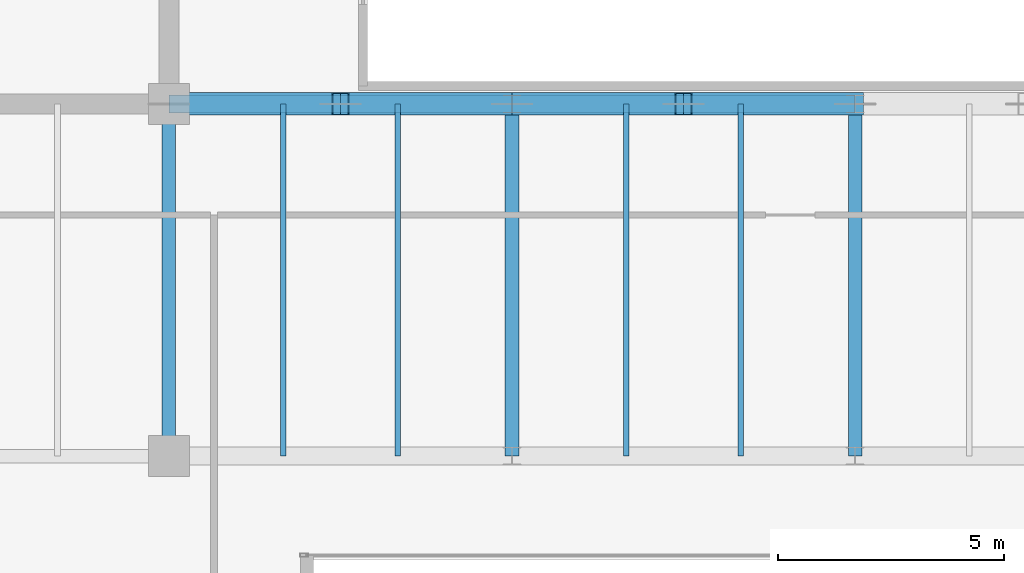
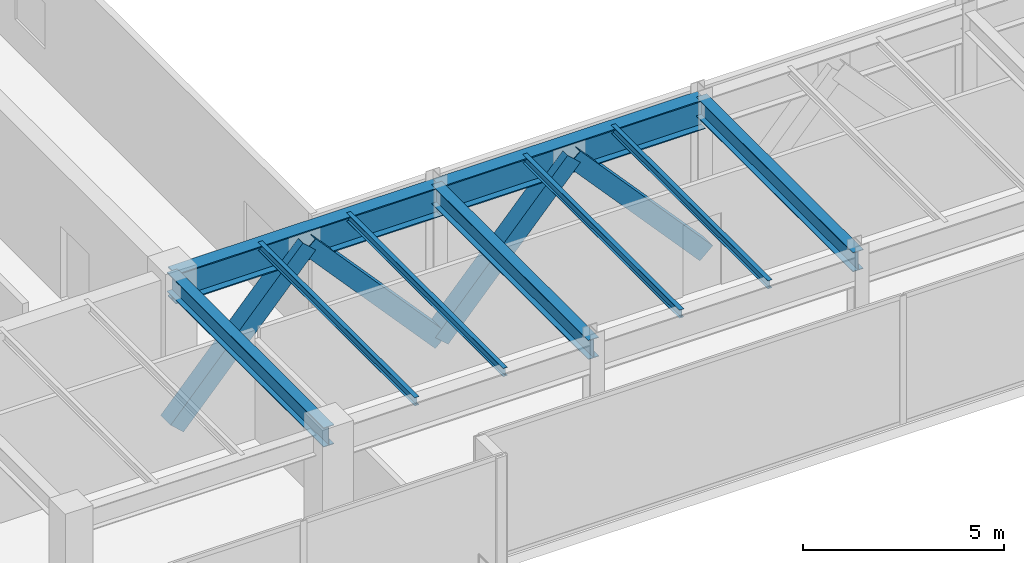
# One storey, part 7 of 31: 9 beams, 4 members.
"""IFC4 building model written with IfcOpenShell, lengths in metres."""

from ifc_helpers import new_model, si_unit, direction, frame, origin, origin_2d, place, context, subcontext, project, spatial, hollow_rectangle, i_section, extrude, source, transform, mapped, material, material_profile, profile_set, type_object, type_shapes, element, save


model = new_model("IFC4")

# Units and contexts
model_context = context("Model", 3, precision=1e-05, world=origin(), true_north=direction((0.0, 1.0)))
body_context = subcontext(model_context, "Body", "Model", "MODEL_VIEW")
ifc_project = project(units=[si_unit("LENGTHUNIT", "METRE"), si_unit("AREAUNIT", "SQUARE_METRE"), si_unit("VOLUMEUNIT", "CUBIC_METRE"), si_unit("PLANEANGLEUNIT", "RADIAN"), si_unit("MASSUNIT", "GRAM", prefix="KILO")], contexts=[model_context])

# Site, building, storey
site_placement = place(None, origin())
site = spatial("IfcSite", under=ifc_project, at=site_placement, CompositionType="ELEMENT")
building_placement = place(site_placement, origin())
building = spatial("IfcBuilding", under=site, at=building_placement, Name="Haelvirn Gate Laboratories", CompositionType="ELEMENT")
storey_placement = place(building_placement, frame((0.0, 0.0, 310.199951171875)))
storey = spatial("IfcBuildingStorey", under=building, at=storey_placement, Name="L74", CompositionType="ELEMENT", Elevation=310.199951171875)

# Beams
ifc_material_1 = material(Name="Steel SM420", Category="steel")
ifc_material_profile_1 = material_profile(ifc_material_1, i_section(OverallWidth=0.39990234375, OverallDepth=0.89990234375, WebThickness=0.01904296875, FlangeThickness=0.031982421875, at=origin_2d()), Name="H-900x400x19x32")
ifc_profile_set_1 = profile_set([ifc_material_profile_1], Name="Steel SM420")
beam_type_1 = type_object("IfcBeamType", Name="BM-TG-900", PredefinedType="BEAM", material=ifc_profile_set_1)
shared_shape_1 = source(origin(), body_context, "Body", "SweptSolid", [
    extrude(i_section(OverallWidth=0.39990234375, OverallDepth=0.89990234375, WebThickness=0.01904296875, FlangeThickness=0.031982421875, at=origin_2d()), origin(), (0.0, 0.0, 1.0), 7.60009765625),
])
beam_1_placement = place(storey_placement, frame((22.199951171875, 14.800048828125, 3.449951171875), z_axis=(1.0, 0.0, 0.0), x_axis=(0.0, 1.0, 0.0)))
element("IfcBeam", 1, at=beam_1_placement, inside=storey, type_object=beam_type_1, Name="L74 Primary Girder Y14.8 (22.2-29.8)", PredefinedType="BEAM", context=body_context, shape_type="MappedRepresentation", body=[
    mapped(shared_shape_1, transform((0.0, 0.0, 0.0), scale=1.0)),
])
shared_shape_2 = source(origin(), body_context, "Body", "SweptSolid", [
    extrude(i_section(OverallWidth=0.39990234375, OverallDepth=0.89990234375, WebThickness=0.01904296875, FlangeThickness=0.031982421875, at=origin_2d()), origin(), (0.0, 0.0, 1.0), 7.599853515625),
])
type_shapes(beam_type_1, [shared_shape_1, shared_shape_2])
beam_2_placement = place(storey_placement, frame((29.800048828125, 14.800048828125, 3.449951171875), z_axis=(1.0, 0.0, 0.0), x_axis=(0.0, 1.0, 0.0)))
element("IfcBeam", 2, at=beam_2_placement, inside=storey, type_object=beam_type_1, Name="L74 Primary Girder Y14.8 (29.8-37.4)", PredefinedType="BEAM", context=body_context, shape_type="MappedRepresentation", body=[
    mapped(shared_shape_2, transform((0.0, 0.0, 0.0), scale=1.0)),
])
ifc_material_2 = material(Name="Steel SM355", Category="steel")
ifc_material_profile_2 = material_profile(ifc_material_2, i_section(OverallWidth=0.300048828125, OverallDepth=0.587890625, WebThickness=0.011962890625, FlangeThickness=0.02001953125, at=origin_2d()), Name="H-588x300x12x20")
ifc_profile_set_2 = profile_set([ifc_material_profile_2], Name="Steel SM355")
beam_type_2 = type_object("IfcBeamType", Name="BM-G-588", PredefinedType="BEAM", material=ifc_profile_set_2)
shared_shape_3 = source(origin(), body_context, "Body", "SweptSolid", [
    extrude(i_section(OverallWidth=0.300048828125, OverallDepth=0.587890625, WebThickness=0.011962890625, FlangeThickness=0.02001953125, at=origin_2d()), origin(), (0.0, 0.0, 1.0), 7.800048828125),
])
type_shapes(beam_type_2, [shared_shape_3])
for number, where, z_axis, x_axis, name in (
    (3, (22.199951171875, 7.0, 3.60595703125), (0.0, 1.0, 0.0), (-1.0, 0.0, 0.0), "L74 Frame Girder X22.2 (7.0-14.8)"),
    (4, (29.800048828125, 7.0, 3.60595703125), (0.0, 1.0, 0.0), (-1.0, 0.0, 0.0), "L74 Frame Girder X29.8 (7.0-14.8)"),
    (5, (37.39990234375, 7.0, 3.60595703125), (0.0, 1.0, 0.0), (-1.0, 0.0, 0.0), "L74 Frame Girder X37.4 (7.0-14.8)"),
):
    element("IfcBeam", number, at=place(storey_placement, frame(where, z_axis=z_axis, x_axis=x_axis)), inside=storey, type_object=beam_type_2, Name=name, PredefinedType="BEAM", context=body_context, shape_type="MappedRepresentation", body=[
        mapped(shared_shape_3, transform((0.0, 0.0, 0.0), scale=1.0)),
    ])
ifc_material_profile_3 = material_profile(ifc_material_2, i_section(OverallWidth=0.125, OverallDepth=0.25, WebThickness=0.006103515625, FlangeThickness=0.009033203125, at=origin_2d()), Name="H-250x125x6x9")
ifc_profile_set_3 = profile_set([ifc_material_profile_3], Name="Steel SM355")
beam_type_3 = type_object("IfcBeamType", Name="BM-J-250", PredefinedType="JOIST", material=ifc_profile_set_3)
shared_shape_4 = source(origin(), body_context, "Body", "SweptSolid", [
    extrude(i_section(OverallWidth=0.125, OverallDepth=0.25, WebThickness=0.006103515625, FlangeThickness=0.009033203125, at=origin_2d()), origin(), (0.0, 0.0, 1.0), 7.800048828125),
])
type_shapes(beam_type_3, [shared_shape_4])
for number, where, z_axis, x_axis, name in (
    (6, (24.72998046875, 7.0, 3.775146484375), (0.0, 1.0, 0.0), (-1.0, 0.0, 0.0), "L74 Composite Lab Joist South X24.73"),
    (7, (27.27001953125, 7.0, 3.775146484375), (0.0, 1.0, 0.0), (-1.0, 0.0, 0.0), "L74 Composite Lab Joist South X27.27"),
    (8, (32.330078125, 7.0, 3.775146484375), (0.0, 1.0, 0.0), (-1.0, 0.0, 0.0), "L74 Composite Lab Joist South X32.33"),
    (9, (34.8701171875, 7.0, 3.775146484375), (0.0, 1.0, 0.0), (-1.0, 0.0, 0.0), "L74 Composite Lab Joist South X34.87"),
):
    element("IfcBeam", number, at=place(storey_placement, frame(where, z_axis=z_axis, x_axis=x_axis)), inside=storey, type_object=beam_type_3, Name=name, PredefinedType="JOIST", context=body_context, shape_type="MappedRepresentation", body=[
        mapped(shared_shape_4, transform((0.0, 0.0, 0.0), scale=1.0)),
    ])

# Members
ifc_material_profile_4 = material_profile(ifc_material_1, hollow_rectangle(XDim=0.5, YDim=0.5, WallThickness=0.02197265625, at=origin_2d()), Name="BOX-500x500x22")
ifc_profile_set_4 = profile_set([ifc_material_profile_4], Name="Steel SM420")
member_type = type_object("IfcMemberType", Name="MEM-ARCH-WEB", PredefinedType="BRACE", material=ifc_profile_set_4)
shared_shape_5 = source(origin(), body_context, "Body", "SweptSolid", [
    extrude(hollow_rectangle(XDim=0.5, YDim=0.5, WallThickness=0.02197265625, at=origin_2d()), origin(), (0.0, 0.0, 1.0), 5.663818359375),
])
type_shapes(member_type, [shared_shape_5])
for number, where, z_axis, x_axis, name in (
    (10, (22.199951171875, 14.800048828125, -0.75), (0.670922353302, 0.0, 0.741527609628), (0.0, 1.0, 0.0), "L74 Arch Truss Chevron Web Y14.8-1A"),
    (11, (26.0, 14.800048828125, 3.449951171875), (0.670922353302, 0.0, -0.741527609628), (0.0, 1.0, 0.0), "L74 Arch Truss Chevron Web Y14.8-1B"),
    (12, (29.800048828125, 14.800048828125, -0.75), (0.670922353302, 0.0, 0.741527609628), (0.0, 1.0, 0.0), "L74 Arch Truss Chevron Web Y14.8-2A"),
    (13, (33.60009765625, 14.800048828125, 3.449951171875), (0.670898650667, 0.0, -0.741549054705), (0.0, 1.0, 0.0), "L74 Arch Truss Chevron Web Y14.8-2B"),
):
    element("IfcMember", number, at=place(storey_placement, frame(where, z_axis=z_axis, x_axis=x_axis)), inside=storey, type_object=member_type, Name=name, PredefinedType="BRACE", context=body_context, shape_type="MappedRepresentation", body=[
        mapped(shared_shape_5, transform((0.0, 0.0, 0.0), scale=1.0)),
    ])

save(model, "model.ifc")
